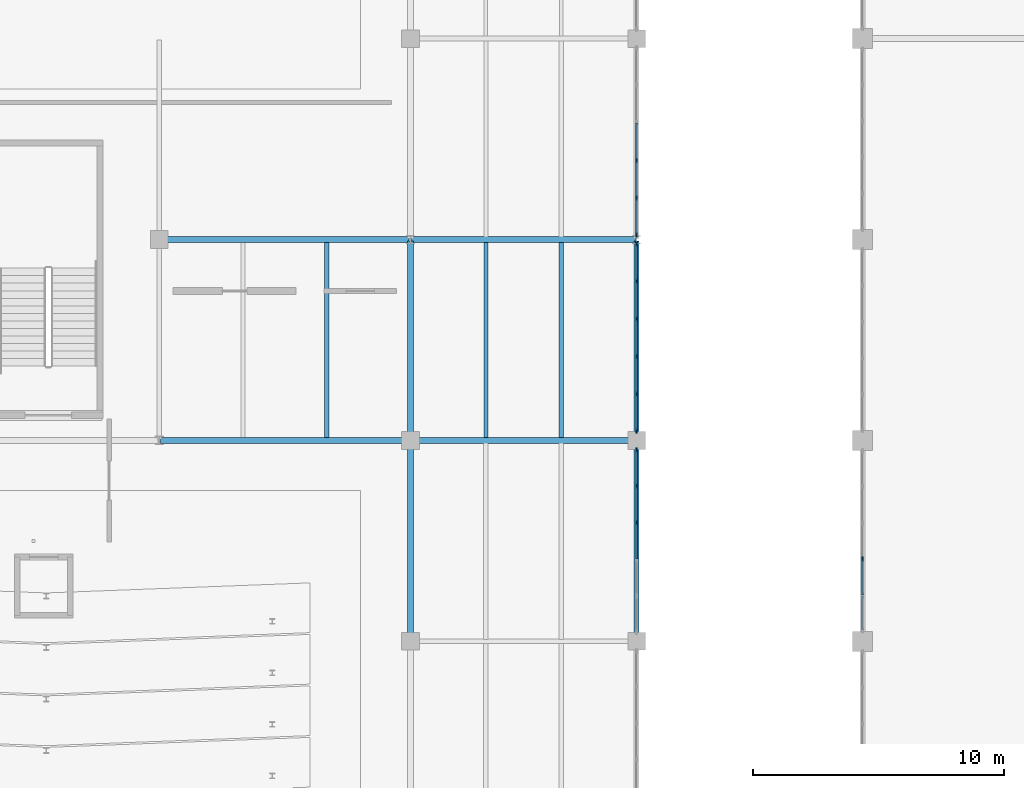
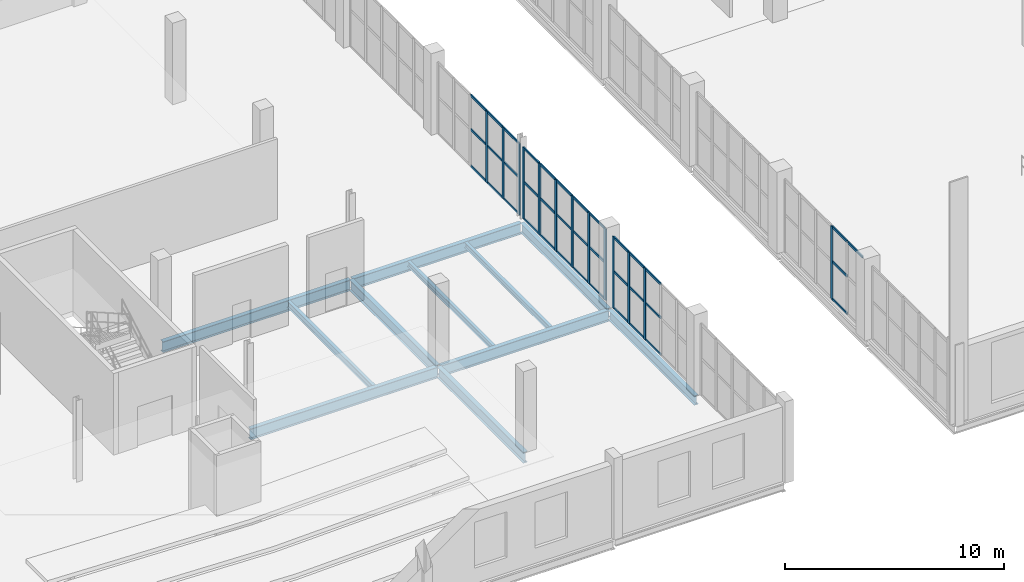
# One storey, part 24 of 93: 50 members, 11 beams, 4 elements without a shape of their own.
"""IFC4 building model written with IfcOpenShell, lengths in metres."""

from ifc_helpers import new_model, si_unit, direction, frame, origin, origin_2d, place, context, subcontext, project, spatial, rectangle, i_section, extrude, material, layer, layer_set, material_profile, profile_set, type_object, element, aggregate, save


model = new_model("IFC4")

# Units and contexts
model_context = context("Model", 3, precision=1e-05, world=origin(), true_north=direction((0.0, 1.0)))
body_context = subcontext(model_context, "Body", "Model", "MODEL_VIEW")
ifc_project = project(units=[si_unit("LENGTHUNIT", "METRE"), si_unit("AREAUNIT", "SQUARE_METRE"), si_unit("VOLUMEUNIT", "CUBIC_METRE"), si_unit("PLANEANGLEUNIT", "RADIAN"), si_unit("MASSUNIT", "GRAM", prefix="KILO")], contexts=[model_context])

# Site, building, storey
site_placement = place(None, origin())
site = spatial("IfcSite", under=ifc_project, at=site_placement, CompositionType="ELEMENT")
building_placement = place(site_placement, origin())
building = spatial("IfcBuilding", under=site, at=building_placement, Name="Marnock Terrace Opera House", CompositionType="ELEMENT")
storey_placement = place(building_placement, frame((0.0, 0.0, 5.39990234375)))
storey = spatial("IfcBuildingStorey", under=building, at=storey_placement, Name="L01", CompositionType="ELEMENT", Elevation=5.39990234375)

# Beams
ifc_material_1 = material(Name="Steel Grade 350 (AS/NZS 3679.1)", Category="steel")
ifc_material_profile_1 = material_profile(ifc_material_1, i_section(OverallWidth=0.208984375, OverallDepth=0.528076171875, WebThickness=0.009521484375, FlangeThickness=0.01318359375, FilletRadius=0.013916015625, at=origin_2d()))
ifc_profile_set_1 = profile_set([ifc_material_profile_1], Name="Steel Grade 350 (AS/NZS 3679.1)")
beam_type_1 = type_object("IfcBeamType", Name="BM-GIRD-530B", PredefinedType="BEAM", material=ifc_profile_set_1)
for number, where, z_axis, x_axis, name in (
    (1, (46.0, 16.050048828125, -0.5439453125), (0.0, 1.0, 0.0), (-1.0, 0.0, 0.0), "L01 girder (X=46.0, 16.0..24.0)"),
    (2, (46.0, 24.050048828125, -0.5439453125), (0.0, 1.0, 0.0), (-1.0, 0.0, 0.0), "L01 girder (X=46.0, 24.0..32.0)"),
):
    element("IfcBeam", number, at=place(storey_placement, frame(where, z_axis=z_axis, x_axis=x_axis)), inside=storey, type_object=beam_type_1, Name=name, PredefinedType="BEAM", context=body_context, shape_type="SweptSolid", body=[
        extrude(i_section(OverallWidth=0.208984375, OverallDepth=0.528076171875, WebThickness=0.009521484375, FlangeThickness=0.01318359375, FilletRadius=0.013916015625, at=origin_2d()), origin(), (0.0, 0.0, 1.0), 7.89990234375),
    ])
ifc_material_profile_2 = material_profile(ifc_material_1, i_section(OverallWidth=0.22900390625, OverallDepth=0.611572265625, WebThickness=0.011962890625, FlangeThickness=0.01953125, FilletRadius=0.013916015625, at=origin_2d()))
ifc_profile_set_2 = profile_set([ifc_material_profile_2], Name="Steel Grade 350 (AS/NZS 3679.1)")
beam_type_2 = type_object("IfcBeamType", Name="BM-GIRD-610A", PredefinedType="BEAM", material=ifc_profile_set_2)
beam_1_placement = place(storey_placement, frame((27.050048828125, 24.0, -0.585693359375), z_axis=(1.0, 0.0, 0.0), x_axis=(0.0, 1.0, 0.0)))
element("IfcBeam", 3, at=beam_1_placement, inside=storey, type_object=beam_type_2, Name="L01 girder (27.0..37.0, Y=24.0)", PredefinedType="BEAM", context=body_context, shape_type="SweptSolid", body=[
    extrude(i_section(OverallWidth=0.22900390625, OverallDepth=0.611572265625, WebThickness=0.011962890625, FlangeThickness=0.01953125, FilletRadius=0.013916015625, at=origin_2d()), origin(), (0.0, 0.0, 1.0), 9.89990234375),
])
beam_2_placement = place(storey_placement, frame((37.050048828125, 24.0, -0.585693359375), z_axis=(1.0, 0.0, 0.0), x_axis=(0.0, 1.0, 0.0)))
element("IfcBeam", 4, at=beam_2_placement, inside=storey, type_object=beam_type_2, Name="L01 girder (37.0..46.0, Y=24.0)", PredefinedType="BEAM", context=body_context, shape_type="SweptSolid", body=[
    extrude(i_section(OverallWidth=0.22900390625, OverallDepth=0.611572265625, WebThickness=0.011962890625, FlangeThickness=0.01953125, FilletRadius=0.013916015625, at=origin_2d()), origin(), (0.0, 0.0, 1.0), 8.89990234375),
])
ifc_material_profile_3 = material_profile(ifc_material_1, i_section(OverallWidth=0.22802734375, OverallDepth=0.60693359375, WebThickness=0.01123046875, FlangeThickness=0.017333984375, FilletRadius=0.013916015625, at=origin_2d()))
ifc_profile_set_3 = profile_set([ifc_material_profile_3], Name="Steel Grade 350 (AS/NZS 3679.1)")
beam_type_3 = type_object("IfcBeamType", Name="BM-GIRD-610B", PredefinedType="BEAM", material=ifc_profile_set_3)
beam_3_placement = place(storey_placement, frame((27.050048828125, 32.0, -0.58349609375), z_axis=(1.0, 0.0, 0.0), x_axis=(0.0, 1.0, 0.0)))
element("IfcBeam", 5, at=beam_3_placement, inside=storey, type_object=beam_type_3, Name="L01 girder (27.0..37.0, Y=32.0)", PredefinedType="BEAM", context=body_context, shape_type="SweptSolid", body=[
    extrude(i_section(OverallWidth=0.22802734375, OverallDepth=0.60693359375, WebThickness=0.01123046875, FlangeThickness=0.017333984375, FilletRadius=0.013916015625, at=origin_2d()), origin(), (0.0, 0.0, 1.0), 9.89990234375),
])
beam_4_placement = place(storey_placement, frame((37.050048828125, 32.0, -0.58349609375), z_axis=(1.0, 0.0, 0.0), x_axis=(0.0, 1.0, 0.0)))
element("IfcBeam", 6, at=beam_4_placement, inside=storey, type_object=beam_type_3, Name="L01 girder (37.0..46.0, Y=32.0)", PredefinedType="BEAM", context=body_context, shape_type="SweptSolid", body=[
    extrude(i_section(OverallWidth=0.22802734375, OverallDepth=0.60693359375, WebThickness=0.01123046875, FlangeThickness=0.017333984375, FilletRadius=0.013916015625, at=origin_2d()), origin(), (0.0, 0.0, 1.0), 8.89990234375),
])
ifc_material_profile_4 = material_profile(ifc_material_1, i_section(OverallWidth=0.22802734375, OverallDepth=0.60205078125, WebThickness=0.010498046875, FlangeThickness=0.014892578125, FilletRadius=0.013916015625, at=origin_2d()))
ifc_profile_set_4 = profile_set([ifc_material_profile_4], Name="Steel Grade 350 (AS/NZS 3679.1)")
beam_type_4 = type_object("IfcBeamType", Name="BM-GIRD-610C", PredefinedType="BEAM", material=ifc_profile_set_4)
for number, where, z_axis, x_axis, name in (
    (7, (37.0, 16.050048828125, -0.580810546875), (0.0, 1.0, 0.0), (-1.0, 0.0, 0.0), "L01 girder (X=37.0, 16.0..24.0)"),
    (8, (37.0, 24.050048828125, -0.580810546875), (0.0, 1.0, 0.0), (-1.0, 0.0, 0.0), "L01 girder (X=37.0, 24.0..32.0)"),
):
    element("IfcBeam", number, at=place(storey_placement, frame(where, z_axis=z_axis, x_axis=x_axis)), inside=storey, type_object=beam_type_4, Name=name, PredefinedType="BEAM", context=body_context, shape_type="SweptSolid", body=[
        extrude(i_section(OverallWidth=0.22802734375, OverallDepth=0.60205078125, WebThickness=0.010498046875, FlangeThickness=0.014892578125, FilletRadius=0.013916015625, at=origin_2d()), origin(), (0.0, 0.0, 1.0), 7.89990234375),
    ])
ifc_material_profile_5 = material_profile(ifc_material_1, i_section(OverallWidth=0.166015625, OverallDepth=0.30712890625, WebThickness=0.006591796875, FlangeThickness=0.01171875, FilletRadius=0.011474609375, at=origin_2d()))
ifc_profile_set_5 = profile_set([ifc_material_profile_5], Name="Steel Grade 350 (AS/NZS 3679.1)")
beam_type_5 = type_object("IfcBeamType", Name="BM-JOIST-310A", PredefinedType="JOIST", material=ifc_profile_set_5)
for number, where, z_axis, x_axis, name in (
    (9, (40.0, 24.109619140625, -0.43359375), (0.0, 1.0, 0.0), (-1.0, 0.0, 0.0), "L01 secondary joist 4.3.1"),
    (10, (43.0, 24.109619140625, -0.43359375), (0.0, 1.0, 0.0), (-1.0, 0.0, 0.0), "L01 secondary joist 4.3.2"),
):
    element("IfcBeam", number, at=place(storey_placement, frame(where, z_axis=z_axis, x_axis=x_axis)), inside=storey, type_object=beam_type_5, Name=name, PredefinedType="JOIST", context=body_context, shape_type="SweptSolid", body=[
        extrude(i_section(OverallWidth=0.166015625, OverallDepth=0.30712890625, WebThickness=0.006591796875, FlangeThickness=0.01171875, FilletRadius=0.011474609375, at=origin_2d()), origin(), (0.0, 0.0, 1.0), 7.781494140625),
    ])
ifc_material_profile_6 = material_profile(ifc_material_1, i_section(OverallWidth=0.172119140625, OverallDepth=0.358642578125, WebThickness=0.008056640625, FlangeThickness=0.012939453125, FilletRadius=0.011474609375, at=origin_2d()))
ifc_profile_set_6 = profile_set([ifc_material_profile_6], Name="Steel Grade 350 (AS/NZS 3679.1)")
beam_type_6 = type_object("IfcBeamType", Name="BM-JOIST-360", PredefinedType="JOIST", material=ifc_profile_set_6)
beam_5_placement = place(storey_placement, frame((33.666748046875, 24.109619140625, -0.459228515625), z_axis=(0.0, 1.0, 0.0), x_axis=(-1.0, 0.0, 0.0)))
element("IfcBeam", 11, at=beam_5_placement, inside=storey, type_object=beam_type_6, Name="L01 secondary joist 3.3.2", PredefinedType="JOIST", context=body_context, shape_type="SweptSolid", body=[
    extrude(i_section(OverallWidth=0.172119140625, OverallDepth=0.358642578125, WebThickness=0.008056640625, FlangeThickness=0.012939453125, FilletRadius=0.011474609375, at=origin_2d()), origin(), (0.0, 0.0, 1.0), 7.781494140625),
])

# Curtain wall, member
ifc_material_2 = material(Name="Anodised architectural bronze aluminium framing", Category="aluminium")
ifc_layer_1 = layer(ifc_material_2, 0.159912109375)
ifc_layer_set_1 = layer_set([ifc_layer_1], Name="Anodised architectural bronze aluminium framing")
curtain_wall_type_1 = type_object("IfcCurtainWallType", Name="CW-FOYER-80x45", PredefinedType="NOTDEFINED", material=ifc_layer_set_1)
curtain_wall_1_placement = place(storey_placement, origin())
curtain_wall_1 = element("IfcCurtainWall", 12, at=curtain_wall_1_placement, inside=storey, type_object=curtain_wall_type_1, Name="L01 glazed Beaux-Arts colonnade curtain wall CW-V1W-L01-02", PredefinedType="NOTDEFINED")
ifc_material_profile_7 = material_profile(ifc_material_2, rectangle(XDim=0.06494140625, YDim=0.179931640625, at=origin_2d()))
ifc_profile_set_7 = profile_set([ifc_material_profile_7], Name="Anodised architectural bronze aluminium framing")
member_type_1 = type_object("IfcMemberType", Name="CWM-65x180", PredefinedType="MULLION", material=ifc_profile_set_7)
member_1_placement = place(storey_placement, frame((55.0, 19.279296875, 0.0), z_axis=(0.0, 0.0, 1.0), x_axis=(-1.0, 0.0, 0.0)))
member_1 = element("IfcMember", 13, at=member_1_placement, type_object=member_type_1, Name="CW-87 mullion 3", PredefinedType="MULLION", context=body_context, shape_type="SweptSolid", body=[
    extrude(rectangle(XDim=0.06494140625, YDim=0.179931640625, at=origin_2d()), origin(), (0.0, 0.0, 1.0), 4.052734375),
])

# Curtain wall, members
ifc_layer_2 = layer(ifc_material_2, 0.159912109375)
ifc_layer_set_2 = layer_set([ifc_layer_2], Name="Anodised architectural bronze aluminium framing")
curtain_wall_type_2 = type_object("IfcCurtainWallType", Name="CW-COURT-80x45", PredefinedType="NOTDEFINED", material=ifc_layer_set_2)
curtain_wall_2_placement = place(storey_placement, origin())
curtain_wall_2 = element("IfcCurtainWall", 14, at=curtain_wall_2_placement, inside=storey, type_object=curtain_wall_type_2, Name="L01 glazed Beaux-Arts colonnade curtain wall CW-V3E-L01-02", PredefinedType="NOTDEFINED")
member_2_placement = place(storey_placement, frame((46.0, 20.730712890625, 0.0), z_axis=(0.0, 0.0, 1.0), x_axis=(-1.0, 0.0, 0.0)))
member_2 = element("IfcMember", 15, at=member_2_placement, type_object=member_type_1, Name="CW-67 mullion 4", PredefinedType="MULLION", context=body_context, shape_type="SweptSolid", body=[
    extrude(rectangle(XDim=0.06494140625, YDim=0.179931640625, at=origin_2d()), origin(), (0.0, 0.0, 1.0), 3.982177734375),
])
member_3_placement = place(storey_placement, frame((46.0, 22.1923828125, 0.0), z_axis=(0.0, 0.0, 1.0), x_axis=(-1.0, 0.0, 0.0)))
member_3 = element("IfcMember", 16, at=member_3_placement, type_object=member_type_1, Name="CW-67 mullion 5", PredefinedType="MULLION", context=body_context, shape_type="SweptSolid", body=[
    extrude(rectangle(XDim=0.06494140625, YDim=0.179931640625, at=origin_2d()), origin(), (0.0, 0.0, 1.0), 3.982177734375),
])
member_4_placement = place(storey_placement, frame((46.0, 23.6240234375, 0.0), z_axis=(0.0, 0.0, 1.0), x_axis=(-1.0, 0.0, 0.0)))
member_4 = element("IfcMember", 17, at=member_4_placement, type_object=member_type_1, Name="CW-67 mullion 6", PredefinedType="MULLION", context=body_context, shape_type="SweptSolid", body=[
    extrude(rectangle(XDim=0.06494140625, YDim=0.179931640625, at=origin_2d()), origin(), (0.0, 0.0, 1.0), 3.982177734375),
])

curtain_wall_3_placement = place(storey_placement, origin())
curtain_wall_3 = element("IfcCurtainWall", 18, at=curtain_wall_3_placement, inside=storey, type_object=curtain_wall_type_2, Name="L01 glazed Beaux-Arts colonnade curtain wall CW-V3E-L01-03", PredefinedType="NOTDEFINED")
member_5_placement = place(storey_placement, frame((46.0, 24.3759765625, 0.0), z_axis=(0.0, 0.0, 1.0), x_axis=(-1.0, 0.0, 0.0)))
member_5 = element("IfcMember", 19, at=member_5_placement, type_object=member_type_1, Name="CW-67 mullion 1", PredefinedType="MULLION", context=body_context, shape_type="SweptSolid", body=[
    extrude(rectangle(XDim=0.06494140625, YDim=0.179931640625, at=origin_2d()), origin(), (0.0, 0.0, 1.0), 3.982177734375),
])
member_6_placement = place(storey_placement, frame((46.0, 25.845458984375, 0.0), z_axis=(0.0, 0.0, 1.0), x_axis=(-1.0, 0.0, 0.0)))
member_6 = element("IfcMember", 20, at=member_6_placement, type_object=member_type_1, Name="CW-67 mullion 2", PredefinedType="MULLION", context=body_context, shape_type="SweptSolid", body=[
    extrude(rectangle(XDim=0.06494140625, YDim=0.179931640625, at=origin_2d()), origin(), (0.0, 0.0, 1.0), 3.982177734375),
])
member_7_placement = place(storey_placement, frame((46.0, 27.344970703125, 0.0), z_axis=(0.0, 0.0, 1.0), x_axis=(-1.0, 0.0, 0.0)))
member_7 = element("IfcMember", 21, at=member_7_placement, type_object=member_type_1, Name="CW-67 mullion 3", PredefinedType="MULLION", context=body_context, shape_type="SweptSolid", body=[
    extrude(rectangle(XDim=0.06494140625, YDim=0.179931640625, at=origin_2d()), origin(), (0.0, 0.0, 1.0), 3.982177734375),
])
member_8_placement = place(storey_placement, frame((46.0, 28.8447265625, 0.0), z_axis=(0.0, 0.0, 1.0), x_axis=(-1.0, 0.0, 0.0)))
member_8 = element("IfcMember", 22, at=member_8_placement, type_object=member_type_1, Name="CW-67 mullion 4", PredefinedType="MULLION", context=body_context, shape_type="SweptSolid", body=[
    extrude(rectangle(XDim=0.06494140625, YDim=0.179931640625, at=origin_2d()), origin(), (0.0, 0.0, 1.0), 3.982177734375),
])
member_9_placement = place(storey_placement, frame((46.0, 30.34423828125, 0.0), z_axis=(0.0, 0.0, 1.0), x_axis=(-1.0, 0.0, 0.0)))
member_9 = element("IfcMember", 23, at=member_9_placement, type_object=member_type_1, Name="CW-67 mullion 5", PredefinedType="MULLION", context=body_context, shape_type="SweptSolid", body=[
    extrude(rectangle(XDim=0.06494140625, YDim=0.179931640625, at=origin_2d()), origin(), (0.0, 0.0, 1.0), 3.982177734375),
])
member_10_placement = place(storey_placement, frame((46.0, 31.813720703125, 0.0), z_axis=(0.0, 0.0, 1.0), x_axis=(-1.0, 0.0, 0.0)))
member_10 = element("IfcMember", 24, at=member_10_placement, type_object=member_type_1, Name="CW-67 mullion 6", PredefinedType="MULLION", context=body_context, shape_type="SweptSolid", body=[
    extrude(rectangle(XDim=0.06494140625, YDim=0.179931640625, at=origin_2d()), origin(), (0.0, 0.0, 1.0), 3.982177734375),
])

curtain_wall_4_placement = place(storey_placement, origin())
curtain_wall_4 = element("IfcCurtainWall", 25, at=curtain_wall_4_placement, inside=storey, type_object=curtain_wall_type_2, Name="L01 glazed Beaux-Arts colonnade curtain wall CW-V3E-L01-04", PredefinedType="NOTDEFINED")
member_11_placement = place(storey_placement, frame((46.0, 32.186279296875, 0.0), z_axis=(0.0, 0.0, 1.0), x_axis=(-1.0, 0.0, 0.0)))
member_11 = element("IfcMember", 26, at=member_11_placement, type_object=member_type_1, Name="CW-67 mullion 1", PredefinedType="MULLION", context=body_context, shape_type="SweptSolid", body=[
    extrude(rectangle(XDim=0.06494140625, YDim=0.179931640625, at=origin_2d()), origin(), (0.0, 0.0, 1.0), 3.982177734375),
])
member_12_placement = place(storey_placement, frame((46.0, 33.65576171875, 0.0), z_axis=(0.0, 0.0, 1.0), x_axis=(-1.0, 0.0, 0.0)))
member_12 = element("IfcMember", 27, at=member_12_placement, type_object=member_type_1, Name="CW-67 mullion 2", PredefinedType="MULLION", context=body_context, shape_type="SweptSolid", body=[
    extrude(rectangle(XDim=0.06494140625, YDim=0.179931640625, at=origin_2d()), origin(), (0.0, 0.0, 1.0), 3.982177734375),
])
member_13_placement = place(storey_placement, frame((46.0, 35.1552734375, 0.0), z_axis=(0.0, 0.0, 1.0), x_axis=(-1.0, 0.0, 0.0)))
member_13 = element("IfcMember", 28, at=member_13_placement, type_object=member_type_1, Name="CW-67 mullion 3", PredefinedType="MULLION", context=body_context, shape_type="SweptSolid", body=[
    extrude(rectangle(XDim=0.06494140625, YDim=0.179931640625, at=origin_2d()), origin(), (0.0, 0.0, 1.0), 3.982177734375),
])

# Member
ifc_material_profile_8 = material_profile(ifc_material_2, rectangle(XDim=0.06005859375, YDim=0.1298828125, at=origin_2d()))
ifc_profile_set_8 = profile_set([ifc_material_profile_8], Name="Anodised architectural bronze aluminium framing")
member_type_2 = type_object("IfcMemberType", Name="CWT-60x130", PredefinedType="USERDEFINED", material=ifc_profile_set_8)
member_14_placement = place(storey_placement, frame((55.0, 16.4560546875, 4.022705078125), z_axis=(0.0, 1.0, 0.0), x_axis=(-1.0, 0.0, 0.0)))
member_14 = element("IfcMember", 29, at=member_14_placement, type_object=member_type_2, Name="CW-87 transom 1.3", ObjectType="TRANSOM", PredefinedType="USERDEFINED", context=body_context, shape_type="SweptSolid", body=[
    extrude(rectangle(XDim=0.06005859375, YDim=0.1298828125, at=origin_2d()), origin(), (0.0, 0.0, 1.0), 1.3515625),
])

member_15_placement = place(storey_placement, frame((55.0, 17.86767578125, 0.030029296875), z_axis=(0.0, 1.0, 0.0), x_axis=(-1.0, 0.0, 0.0)))
member_15 = element("IfcMember", 30, at=member_15_placement, type_object=member_type_2, Name="CW-87 transom 2.1", ObjectType="TRANSOM", PredefinedType="USERDEFINED", context=body_context, shape_type="SweptSolid", body=[
    extrude(rectangle(XDim=0.06005859375, YDim=0.1298828125, at=origin_2d()), origin(), (0.0, 0.0, 1.0), 1.381591796875),
])

member_16_placement = place(storey_placement, frame((55.0, 17.86767578125, 2.107421875), z_axis=(0.0, 1.0, 0.0), x_axis=(-1.0, 0.0, 0.0)))
member_16 = element("IfcMember", 31, at=member_16_placement, type_object=member_type_2, Name="CW-87 transom 2.2", ObjectType="TRANSOM", PredefinedType="USERDEFINED", context=body_context, shape_type="SweptSolid", body=[
    extrude(rectangle(XDim=0.06005859375, YDim=0.1298828125, at=origin_2d()), origin(), (0.0, 0.0, 1.0), 1.381591796875),
])

member_17_placement = place(storey_placement, frame((55.0, 17.86767578125, 4.022705078125), z_axis=(0.0, 1.0, 0.0), x_axis=(-1.0, 0.0, 0.0)))
member_17 = element("IfcMember", 32, at=member_17_placement, type_object=member_type_2, Name="CW-87 transom 2.3", ObjectType="TRANSOM", PredefinedType="USERDEFINED", context=body_context, shape_type="SweptSolid", body=[
    extrude(rectangle(XDim=0.06005859375, YDim=0.1298828125, at=origin_2d()), origin(), (0.0, 0.0, 1.0), 1.381591796875),
])

aggregate(curtain_wall_1, [member_1, member_14, member_15, member_16, member_17])

member_18_placement = place(storey_placement, frame((46.0, 19.29931640625, 0.030029296875), z_axis=(0.0, 1.0, 0.0), x_axis=(-1.0, 0.0, 0.0)))
member_18 = element("IfcMember", 33, at=member_18_placement, type_object=member_type_2, Name="CW-67 transom 3.1", ObjectType="TRANSOM", PredefinedType="USERDEFINED", context=body_context, shape_type="SweptSolid", body=[
    extrude(rectangle(XDim=0.06005859375, YDim=0.1298828125, at=origin_2d()), origin(), (0.0, 0.0, 1.0), 1.4013671875),
])

member_19_placement = place(storey_placement, frame((46.0, 19.29931640625, 2.07080078125), z_axis=(0.0, 1.0, 0.0), x_axis=(-1.0, 0.0, 0.0)))
member_19 = element("IfcMember", 34, at=member_19_placement, type_object=member_type_2, Name="CW-67 transom 3.2", ObjectType="TRANSOM", PredefinedType="USERDEFINED", context=body_context, shape_type="SweptSolid", body=[
    extrude(rectangle(XDim=0.06005859375, YDim=0.1298828125, at=origin_2d()), origin(), (0.0, 0.0, 1.0), 1.4013671875),
])

member_20_placement = place(storey_placement, frame((46.0, 19.29931640625, 3.9521484375), z_axis=(0.0, 1.0, 0.0), x_axis=(-1.0, 0.0, 0.0)))
member_20 = element("IfcMember", 35, at=member_20_placement, type_object=member_type_2, Name="CW-67 transom 3.3", ObjectType="TRANSOM", PredefinedType="USERDEFINED", context=body_context, shape_type="SweptSolid", body=[
    extrude(rectangle(XDim=0.06005859375, YDim=0.1298828125, at=origin_2d()), origin(), (0.0, 0.0, 1.0), 1.4013671875),
])

member_21_placement = place(storey_placement, frame((46.0, 20.7607421875, 0.030029296875), z_axis=(0.0, 1.0, 0.0), x_axis=(-1.0, 0.0, 0.0)))
member_21 = element("IfcMember", 36, at=member_21_placement, type_object=member_type_2, Name="CW-67 transom 4.1", ObjectType="TRANSOM", PredefinedType="USERDEFINED", context=body_context, shape_type="SweptSolid", body=[
    extrude(rectangle(XDim=0.06005859375, YDim=0.1298828125, at=origin_2d()), origin(), (0.0, 0.0, 1.0), 1.401611328125),
])

member_22_placement = place(storey_placement, frame((46.0, 20.7607421875, 2.07080078125), z_axis=(0.0, 1.0, 0.0), x_axis=(-1.0, 0.0, 0.0)))
member_22 = element("IfcMember", 37, at=member_22_placement, type_object=member_type_2, Name="CW-67 transom 4.2", ObjectType="TRANSOM", PredefinedType="USERDEFINED", context=body_context, shape_type="SweptSolid", body=[
    extrude(rectangle(XDim=0.06005859375, YDim=0.1298828125, at=origin_2d()), origin(), (0.0, 0.0, 1.0), 1.401611328125),
])

member_23_placement = place(storey_placement, frame((46.0, 20.7607421875, 3.9521484375), z_axis=(0.0, 1.0, 0.0), x_axis=(-1.0, 0.0, 0.0)))
member_23 = element("IfcMember", 38, at=member_23_placement, type_object=member_type_2, Name="CW-67 transom 4.3", ObjectType="TRANSOM", PredefinedType="USERDEFINED", context=body_context, shape_type="SweptSolid", body=[
    extrude(rectangle(XDim=0.06005859375, YDim=0.1298828125, at=origin_2d()), origin(), (0.0, 0.0, 1.0), 1.401611328125),
])

member_24_placement = place(storey_placement, frame((46.0, 22.222412109375, 0.030029296875), z_axis=(0.0, 1.0, 0.0), x_axis=(-1.0, 0.0, 0.0)))
member_24 = element("IfcMember", 39, at=member_24_placement, type_object=member_type_2, Name="CW-67 transom 5.1", ObjectType="TRANSOM", PredefinedType="USERDEFINED", context=body_context, shape_type="SweptSolid", body=[
    extrude(rectangle(XDim=0.06005859375, YDim=0.1298828125, at=origin_2d()), origin(), (0.0, 0.0, 1.0), 1.37158203125),
])

member_25_placement = place(storey_placement, frame((46.0, 22.222412109375, 2.07080078125), z_axis=(0.0, 1.0, 0.0), x_axis=(-1.0, 0.0, 0.0)))
member_25 = element("IfcMember", 40, at=member_25_placement, type_object=member_type_2, Name="CW-67 transom 5.2", ObjectType="TRANSOM", PredefinedType="USERDEFINED", context=body_context, shape_type="SweptSolid", body=[
    extrude(rectangle(XDim=0.06005859375, YDim=0.1298828125, at=origin_2d()), origin(), (0.0, 0.0, 1.0), 1.37158203125),
])

member_26_placement = place(storey_placement, frame((46.0, 22.222412109375, 3.9521484375), z_axis=(0.0, 1.0, 0.0), x_axis=(-1.0, 0.0, 0.0)))
member_26 = element("IfcMember", 41, at=member_26_placement, type_object=member_type_2, Name="CW-67 transom 5.3", ObjectType="TRANSOM", PredefinedType="USERDEFINED", context=body_context, shape_type="SweptSolid", body=[
    extrude(rectangle(XDim=0.06005859375, YDim=0.1298828125, at=origin_2d()), origin(), (0.0, 0.0, 1.0), 1.37158203125),
])

aggregate(curtain_wall_2, [member_2, member_3, member_4, member_18, member_19, member_20, member_21, member_22, member_23, member_24, member_25, member_26])

member_27_placement = place(storey_placement, frame((46.0, 24.406005859375, 0.030029296875), z_axis=(0.0, 1.0, 0.0), x_axis=(-1.0, 0.0, 0.0)))
member_27 = element("IfcMember", 42, at=member_27_placement, type_object=member_type_2, Name="CW-67 transom 1.1", ObjectType="TRANSOM", PredefinedType="USERDEFINED", context=body_context, shape_type="SweptSolid", body=[
    extrude(rectangle(XDim=0.06005859375, YDim=0.1298828125, at=origin_2d()), origin(), (0.0, 0.0, 1.0), 1.409423828125),
])

member_28_placement = place(storey_placement, frame((46.0, 24.406005859375, 2.07080078125), z_axis=(0.0, 1.0, 0.0), x_axis=(-1.0, 0.0, 0.0)))
member_28 = element("IfcMember", 43, at=member_28_placement, type_object=member_type_2, Name="CW-67 transom 1.2", ObjectType="TRANSOM", PredefinedType="USERDEFINED", context=body_context, shape_type="SweptSolid", body=[
    extrude(rectangle(XDim=0.06005859375, YDim=0.1298828125, at=origin_2d()), origin(), (0.0, 0.0, 1.0), 1.409423828125),
])

member_29_placement = place(storey_placement, frame((46.0, 24.406005859375, 3.9521484375), z_axis=(0.0, 1.0, 0.0), x_axis=(-1.0, 0.0, 0.0)))
member_29 = element("IfcMember", 44, at=member_29_placement, type_object=member_type_2, Name="CW-67 transom 1.3", ObjectType="TRANSOM", PredefinedType="USERDEFINED", context=body_context, shape_type="SweptSolid", body=[
    extrude(rectangle(XDim=0.06005859375, YDim=0.1298828125, at=origin_2d()), origin(), (0.0, 0.0, 1.0), 1.409423828125),
])

member_30_placement = place(storey_placement, frame((46.0, 25.87548828125, 0.030029296875), z_axis=(0.0, 1.0, 0.0), x_axis=(-1.0, 0.0, 0.0)))
member_30 = element("IfcMember", 45, at=member_30_placement, type_object=member_type_2, Name="CW-67 transom 2.1", ObjectType="TRANSOM", PredefinedType="USERDEFINED", context=body_context, shape_type="SweptSolid", body=[
    extrude(rectangle(XDim=0.06005859375, YDim=0.1298828125, at=origin_2d()), origin(), (0.0, 0.0, 1.0), 1.439697265625),
])

member_31_placement = place(storey_placement, frame((46.0, 25.87548828125, 2.07080078125), z_axis=(0.0, 1.0, 0.0), x_axis=(-1.0, 0.0, 0.0)))
member_31 = element("IfcMember", 46, at=member_31_placement, type_object=member_type_2, Name="CW-67 transom 2.2", ObjectType="TRANSOM", PredefinedType="USERDEFINED", context=body_context, shape_type="SweptSolid", body=[
    extrude(rectangle(XDim=0.06005859375, YDim=0.1298828125, at=origin_2d()), origin(), (0.0, 0.0, 1.0), 1.439697265625),
])

member_32_placement = place(storey_placement, frame((46.0, 25.87548828125, 3.9521484375), z_axis=(0.0, 1.0, 0.0), x_axis=(-1.0, 0.0, 0.0)))
member_32 = element("IfcMember", 47, at=member_32_placement, type_object=member_type_2, Name="CW-67 transom 2.3", ObjectType="TRANSOM", PredefinedType="USERDEFINED", context=body_context, shape_type="SweptSolid", body=[
    extrude(rectangle(XDim=0.06005859375, YDim=0.1298828125, at=origin_2d()), origin(), (0.0, 0.0, 1.0), 1.439697265625),
])

member_33_placement = place(storey_placement, frame((46.0, 27.375, 0.030029296875), z_axis=(0.0, 1.0, 0.0), x_axis=(-1.0, 0.0, 0.0)))
member_33 = element("IfcMember", 48, at=member_33_placement, type_object=member_type_2, Name="CW-67 transom 3.1", ObjectType="TRANSOM", PredefinedType="USERDEFINED", context=body_context, shape_type="SweptSolid", body=[
    extrude(rectangle(XDim=0.06005859375, YDim=0.1298828125, at=origin_2d()), origin(), (0.0, 0.0, 1.0), 1.439697265625),
])

member_34_placement = place(storey_placement, frame((46.0, 27.375, 2.07080078125), z_axis=(0.0, 1.0, 0.0), x_axis=(-1.0, 0.0, 0.0)))
member_34 = element("IfcMember", 49, at=member_34_placement, type_object=member_type_2, Name="CW-67 transom 3.2", ObjectType="TRANSOM", PredefinedType="USERDEFINED", context=body_context, shape_type="SweptSolid", body=[
    extrude(rectangle(XDim=0.06005859375, YDim=0.1298828125, at=origin_2d()), origin(), (0.0, 0.0, 1.0), 1.439697265625),
])

member_35_placement = place(storey_placement, frame((46.0, 27.375, 3.9521484375), z_axis=(0.0, 1.0, 0.0), x_axis=(-1.0, 0.0, 0.0)))
member_35 = element("IfcMember", 50, at=member_35_placement, type_object=member_type_2, Name="CW-67 transom 3.3", ObjectType="TRANSOM", PredefinedType="USERDEFINED", context=body_context, shape_type="SweptSolid", body=[
    extrude(rectangle(XDim=0.06005859375, YDim=0.1298828125, at=origin_2d()), origin(), (0.0, 0.0, 1.0), 1.439697265625),
])

member_36_placement = place(storey_placement, frame((46.0, 28.87451171875, 0.030029296875), z_axis=(0.0, 1.0, 0.0), x_axis=(-1.0, 0.0, 0.0)))
member_36 = element("IfcMember", 51, at=member_36_placement, type_object=member_type_2, Name="CW-67 transom 4.1", ObjectType="TRANSOM", PredefinedType="USERDEFINED", context=body_context, shape_type="SweptSolid", body=[
    extrude(rectangle(XDim=0.06005859375, YDim=0.1298828125, at=origin_2d()), origin(), (0.0, 0.0, 1.0), 1.439697265625),
])

member_37_placement = place(storey_placement, frame((46.0, 28.87451171875, 2.07080078125), z_axis=(0.0, 1.0, 0.0), x_axis=(-1.0, 0.0, 0.0)))
member_37 = element("IfcMember", 52, at=member_37_placement, type_object=member_type_2, Name="CW-67 transom 4.2", ObjectType="TRANSOM", PredefinedType="USERDEFINED", context=body_context, shape_type="SweptSolid", body=[
    extrude(rectangle(XDim=0.06005859375, YDim=0.1298828125, at=origin_2d()), origin(), (0.0, 0.0, 1.0), 1.439697265625),
])

member_38_placement = place(storey_placement, frame((46.0, 28.87451171875, 3.9521484375), z_axis=(0.0, 1.0, 0.0), x_axis=(-1.0, 0.0, 0.0)))
member_38 = element("IfcMember", 53, at=member_38_placement, type_object=member_type_2, Name="CW-67 transom 4.3", ObjectType="TRANSOM", PredefinedType="USERDEFINED", context=body_context, shape_type="SweptSolid", body=[
    extrude(rectangle(XDim=0.06005859375, YDim=0.1298828125, at=origin_2d()), origin(), (0.0, 0.0, 1.0), 1.439697265625),
])

member_39_placement = place(storey_placement, frame((46.0, 30.374267578125, 0.030029296875), z_axis=(0.0, 1.0, 0.0), x_axis=(-1.0, 0.0, 0.0)))
member_39 = element("IfcMember", 54, at=member_39_placement, type_object=member_type_2, Name="CW-67 transom 5.1", ObjectType="TRANSOM", PredefinedType="USERDEFINED", context=body_context, shape_type="SweptSolid", body=[
    extrude(rectangle(XDim=0.06005859375, YDim=0.1298828125, at=origin_2d()), origin(), (0.0, 0.0, 1.0), 1.409423828125),
])

member_40_placement = place(storey_placement, frame((46.0, 30.374267578125, 2.07080078125), z_axis=(0.0, 1.0, 0.0), x_axis=(-1.0, 0.0, 0.0)))
member_40 = element("IfcMember", 55, at=member_40_placement, type_object=member_type_2, Name="CW-67 transom 5.2", ObjectType="TRANSOM", PredefinedType="USERDEFINED", context=body_context, shape_type="SweptSolid", body=[
    extrude(rectangle(XDim=0.06005859375, YDim=0.1298828125, at=origin_2d()), origin(), (0.0, 0.0, 1.0), 1.409423828125),
])

member_41_placement = place(storey_placement, frame((46.0, 30.374267578125, 3.9521484375), z_axis=(0.0, 1.0, 0.0), x_axis=(-1.0, 0.0, 0.0)))
member_41 = element("IfcMember", 56, at=member_41_placement, type_object=member_type_2, Name="CW-67 transom 5.3", ObjectType="TRANSOM", PredefinedType="USERDEFINED", context=body_context, shape_type="SweptSolid", body=[
    extrude(rectangle(XDim=0.06005859375, YDim=0.1298828125, at=origin_2d()), origin(), (0.0, 0.0, 1.0), 1.409423828125),
])

aggregate(curtain_wall_3, [member_5, member_6, member_7, member_8, member_9, member_10, member_27, member_28, member_29, member_30, member_31, member_32, member_33, member_34, member_35, member_36, member_37, member_38, member_39, member_40, member_41])

member_42_placement = place(storey_placement, frame((46.0, 32.21630859375, 0.030029296875), z_axis=(0.0, 1.0, 0.0), x_axis=(-1.0, 0.0, 0.0)))
member_42 = element("IfcMember", 57, at=member_42_placement, type_object=member_type_2, Name="CW-67 transom 1.1", ObjectType="TRANSOM", PredefinedType="USERDEFINED", context=body_context, shape_type="SweptSolid", body=[
    extrude(rectangle(XDim=0.06005859375, YDim=0.1298828125, at=origin_2d()), origin(), (0.0, 0.0, 1.0), 1.409423828125),
])

member_43_placement = place(storey_placement, frame((46.0, 32.21630859375, 2.07080078125), z_axis=(0.0, 1.0, 0.0), x_axis=(-1.0, 0.0, 0.0)))
member_43 = element("IfcMember", 58, at=member_43_placement, type_object=member_type_2, Name="CW-67 transom 1.2", ObjectType="TRANSOM", PredefinedType="USERDEFINED", context=body_context, shape_type="SweptSolid", body=[
    extrude(rectangle(XDim=0.06005859375, YDim=0.1298828125, at=origin_2d()), origin(), (0.0, 0.0, 1.0), 1.409423828125),
])

member_44_placement = place(storey_placement, frame((46.0, 32.21630859375, 3.9521484375), z_axis=(0.0, 1.0, 0.0), x_axis=(-1.0, 0.0, 0.0)))
member_44 = element("IfcMember", 59, at=member_44_placement, type_object=member_type_2, Name="CW-67 transom 1.3", ObjectType="TRANSOM", PredefinedType="USERDEFINED", context=body_context, shape_type="SweptSolid", body=[
    extrude(rectangle(XDim=0.06005859375, YDim=0.1298828125, at=origin_2d()), origin(), (0.0, 0.0, 1.0), 1.409423828125),
])

member_45_placement = place(storey_placement, frame((46.0, 33.685791015625, 0.030029296875), z_axis=(0.0, 1.0, 0.0), x_axis=(-1.0, 0.0, 0.0)))
member_45 = element("IfcMember", 60, at=member_45_placement, type_object=member_type_2, Name="CW-67 transom 2.1", ObjectType="TRANSOM", PredefinedType="USERDEFINED", context=body_context, shape_type="SweptSolid", body=[
    extrude(rectangle(XDim=0.06005859375, YDim=0.1298828125, at=origin_2d()), origin(), (0.0, 0.0, 1.0), 1.439697265625),
])

member_46_placement = place(storey_placement, frame((46.0, 33.685791015625, 2.07080078125), z_axis=(0.0, 1.0, 0.0), x_axis=(-1.0, 0.0, 0.0)))
member_46 = element("IfcMember", 61, at=member_46_placement, type_object=member_type_2, Name="CW-67 transom 2.2", ObjectType="TRANSOM", PredefinedType="USERDEFINED", context=body_context, shape_type="SweptSolid", body=[
    extrude(rectangle(XDim=0.06005859375, YDim=0.1298828125, at=origin_2d()), origin(), (0.0, 0.0, 1.0), 1.439697265625),
])

member_47_placement = place(storey_placement, frame((46.0, 33.685791015625, 3.9521484375), z_axis=(0.0, 1.0, 0.0), x_axis=(-1.0, 0.0, 0.0)))
member_47 = element("IfcMember", 62, at=member_47_placement, type_object=member_type_2, Name="CW-67 transom 2.3", ObjectType="TRANSOM", PredefinedType="USERDEFINED", context=body_context, shape_type="SweptSolid", body=[
    extrude(rectangle(XDim=0.06005859375, YDim=0.1298828125, at=origin_2d()), origin(), (0.0, 0.0, 1.0), 1.439697265625),
])

member_48_placement = place(storey_placement, frame((46.0, 35.185302734375, 0.030029296875), z_axis=(0.0, 1.0, 0.0), x_axis=(-1.0, 0.0, 0.0)))
member_48 = element("IfcMember", 63, at=member_48_placement, type_object=member_type_2, Name="CW-67 transom 3.1", ObjectType="TRANSOM", PredefinedType="USERDEFINED", context=body_context, shape_type="SweptSolid", body=[
    extrude(rectangle(XDim=0.06005859375, YDim=0.1298828125, at=origin_2d()), origin(), (0.0, 0.0, 1.0), 1.439697265625),
])

member_49_placement = place(storey_placement, frame((46.0, 35.185302734375, 2.07080078125), z_axis=(0.0, 1.0, 0.0), x_axis=(-1.0, 0.0, 0.0)))
member_49 = element("IfcMember", 64, at=member_49_placement, type_object=member_type_2, Name="CW-67 transom 3.2", ObjectType="TRANSOM", PredefinedType="USERDEFINED", context=body_context, shape_type="SweptSolid", body=[
    extrude(rectangle(XDim=0.06005859375, YDim=0.1298828125, at=origin_2d()), origin(), (0.0, 0.0, 1.0), 1.439697265625),
])

member_50_placement = place(storey_placement, frame((46.0, 35.185302734375, 3.9521484375), z_axis=(0.0, 1.0, 0.0), x_axis=(-1.0, 0.0, 0.0)))
member_50 = element("IfcMember", 65, at=member_50_placement, type_object=member_type_2, Name="CW-67 transom 3.3", ObjectType="TRANSOM", PredefinedType="USERDEFINED", context=body_context, shape_type="SweptSolid", body=[
    extrude(rectangle(XDim=0.06005859375, YDim=0.1298828125, at=origin_2d()), origin(), (0.0, 0.0, 1.0), 1.439697265625),
])

aggregate(curtain_wall_4, [member_11, member_12, member_13, member_42, member_43, member_44, member_45, member_46, member_47, member_48, member_49, member_50])

save(model, "model.ifc")
